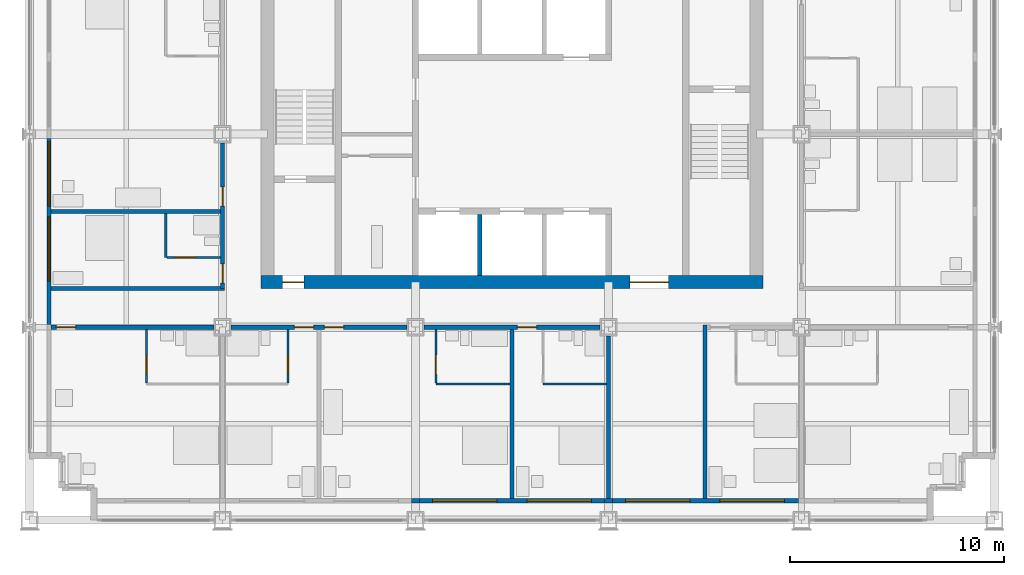
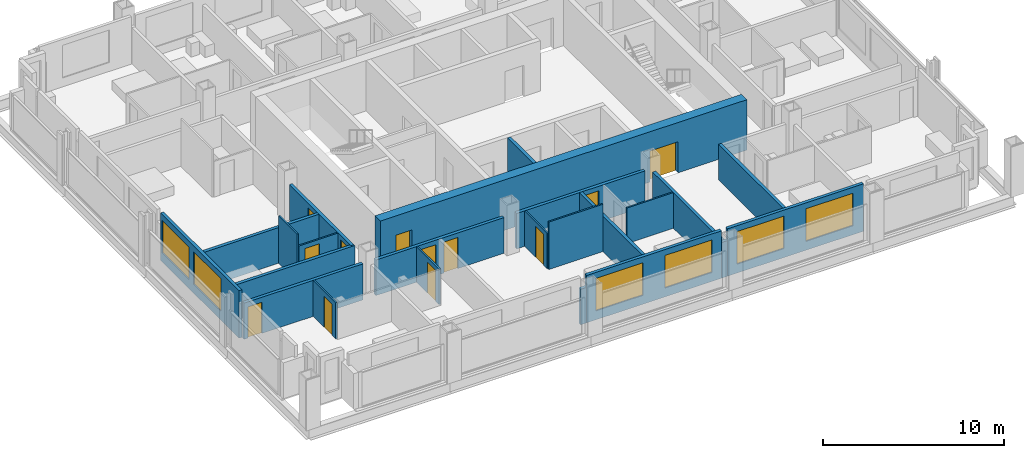
# One storey, part 9 of 16: 23 walls, 12 doors, 6 windows, 18 openings.
"""IFC4 building model written with IfcOpenShell, lengths in metres."""

from ifc_helpers import new_model, si_unit, direction, frame, frame_2d, origin, place, context, subcontext, project, spatial, rectangle, extrude, material, layer, layer_set, type_object, element, fill, save


model = new_model("IFC4")

# Units and contexts
model_context = context("Model", 3, precision=1e-05, world=origin(), true_north=direction((0.0, 1.0)))
body_context = subcontext(model_context, "Body", "Model", "MODEL_VIEW")
ifc_project = project(units=[si_unit("LENGTHUNIT", "METRE"), si_unit("AREAUNIT", "SQUARE_METRE"), si_unit("VOLUMEUNIT", "CUBIC_METRE"), si_unit("PLANEANGLEUNIT", "RADIAN"), si_unit("MASSUNIT", "GRAM", prefix="KILO")], contexts=[model_context])

# Site, building, storey
site_placement = place(None, origin())
site = spatial("IfcSite", under=ifc_project, at=site_placement, CompositionType="ELEMENT")
building_placement = place(site_placement, origin())
building = spatial("IfcBuilding", under=site, at=building_placement, Name="Loomwork Tower", CompositionType="ELEMENT")
storey_placement = place(building_placement, frame((0.0, 0.0, 104.39990234375)))
storey = spatial("IfcBuildingStorey", under=building, at=storey_placement, Name="L27", CompositionType="ELEMENT", Elevation=104.39990234375)

# Wall, openings, doors
ifc_material_1 = material(Name="Concrete 14000 psi (97 MPa)", Category="concrete")
ifc_layer_1 = layer(ifc_material_1, 0.60009765625)
ifc_layer_set_1 = layer_set([ifc_layer_1], Name="Core shear wall 600")
wall_type_1 = type_object("IfcWallType", Name="Core shear wall 600", PredefinedType="SHEAR", material=ifc_layer_set_1)
wall_1_placement = place(storey_placement, frame((10.800048828125, 11.10009765625, 0.0), z_axis=(0.0, 0.0, 1.0), x_axis=(1.0, 0.0, 0.0)))
wall_1 = element("IfcWall", 1, at=wall_1_placement, inside=storey, type_object=wall_type_1, Name="Core wall south L27", PredefinedType="SHEAR", context=body_context, shape_type="SweptSolid", body=[
    extrude(rectangle(XDim=23.39990234375, YDim=0.60009765625, at=frame_2d((11.699951171875, 0.0))), origin(), (0.0, 0.0, 1.0), 3.400146484375),
])
opening_1_placement = place(wall_1_placement, frame((1.0, 0.0, 0.0)))
opening_1 = element("IfcOpeningElement", 2, at=opening_1_placement, cuts=wall_1, Name="Opening D4", PredefinedType="OPENING", context=body_context, shape_type="SweptSolid", body=[
    extrude(rectangle(XDim=1.0, YDim=2.10009765625, at=frame_2d((0.5, 1.050048828125))), frame((0.0, 0.31005859375, 0.0), z_axis=(0.0, -1.0, 0.0), x_axis=(1.0, 0.0, 0.0)), (0.0, 0.0, 1.0), 0.6201171875),
])
opening_2_placement = place(wall_1_placement, frame((17.199951171875, 0.0, 0.0)))
opening_2 = element("IfcOpeningElement", 3, at=opening_2_placement, cuts=wall_1, Name="Opening D6", PredefinedType="OPENING", context=body_context, shape_type="SweptSolid", body=[
    extrude(rectangle(XDim=1.800048828125, YDim=2.10009765625, at=frame_2d((0.89990234375, 1.050048828125))), frame((0.0, 0.31005859375, 0.0), z_axis=(0.0, -1.0, 0.0), x_axis=(1.0, 0.0, 0.0)), (0.0, 0.0, 1.0), 0.6201171875),
])
ifc_material_2 = material(Name="Hollow metal door and frame")
door_type_1 = type_object("IfcDoorType", Name="Lobby passage double door 1800", OperationType="DOUBLE_DOOR_SINGLE_SWING", PredefinedType="DOOR", material=ifc_material_2)
door_1_placement = place(opening_2_placement, origin())
door_1 = element("IfcDoor", 4, at=door_1_placement, inside=storey, type_object=door_type_1, Name="Lobby passage door south", OperationType="DOUBLE_DOOR_SINGLE_SWING", OverallHeight=2.10009765625, OverallWidth=1.800048828125, PredefinedType="DOOR", context=body_context, shape_type="SweptSolid", body=[
    extrude(rectangle(XDim=1.800048828125, YDim=2.10009765625, at=frame_2d((0.89990234375, 1.050048828125))), frame((0.0, 0.02490234375, 0.0), z_axis=(0.0, -1.0, 0.0), x_axis=(1.0, 0.0, 0.0)), (0.0, 0.0, 1.0), 0.050048828125),
])
fill(opening_2, door_1)
ifc_material_3 = material(Name="Hollow metal door and frame")
door_type_2 = type_object("IfcDoorType", Name="Stair door 1000", OperationType="SINGLE_SWING_RIGHT", PredefinedType="DOOR", material=ifc_material_3)
door_2_placement = place(opening_1_placement, origin())
door_2 = element("IfcDoor", 5, at=door_2_placement, inside=storey, type_object=door_type_2, Name="Stair A vestibule door", OperationType="SINGLE_SWING_LEFT", OverallHeight=2.10009765625, OverallWidth=1.0, PredefinedType="DOOR", context=body_context, shape_type="SweptSolid", body=[
    extrude(rectangle(XDim=1.0, YDim=2.10009765625, at=frame_2d((0.5, 1.050048828125))), frame((0.0, 0.02490234375, 0.0), z_axis=(0.0, -1.0, 0.0), x_axis=(1.0, 0.0, 0.0)), (0.0, 0.0, 1.0), 0.050048828125),
])
fill(opening_1, door_2)

# Wall, opening, door
ifc_material_4 = material(Name="Gypsum board on steel studs, one-hour", Category="steel")
ifc_layer_2 = layer(ifc_material_4, 0.199951171875)
ifc_layer_set_2 = layer_set([ifc_layer_2], Name="Corridor wall 200")
wall_type_2 = type_object("IfcWallType", Name="Corridor wall 200", PredefinedType="PARTITIONING", material=ifc_layer_set_2)
wall_2_placement = place(storey_placement, frame((1.0, 9.0, 0.0), z_axis=(0.0, 0.0, 1.0), x_axis=(1.0, 0.0, 0.0)))
wall_2 = element("IfcWall", 6, at=wall_2_placement, inside=storey, type_object=wall_type_2, Name="South corridor wall 1", PredefinedType="PARTITIONING", context=body_context, shape_type="SweptSolid", body=[
    extrude(rectangle(XDim=7.60009765625, YDim=0.199951171875, at=frame_2d((3.800048828125, 0.0))), origin(), (0.0, 0.0, 1.0), 2.43798828125),
])
opening_3_placement = place(wall_2_placement, frame((0.25, 0.0, 0.0)))
opening_3 = element("IfcOpeningElement", 7, at=opening_3_placement, cuts=wall_2, Name="Opening D1", PredefinedType="OPENING", context=body_context, shape_type="SweptSolid", body=[
    extrude(rectangle(XDim=0.89990234375, YDim=2.10009765625, at=frame_2d((0.449951171875, 1.050048828125))), frame((0.0, 0.10986328125, 0.0), z_axis=(0.0, -1.0, 0.0), x_axis=(1.0, 0.0, 0.0)), (0.0, 0.0, 1.0), 0.219970703125),
])
ifc_material_5 = material(Name="Hollow metal door and frame")
door_type_3 = type_object("IfcDoorType", Name="Guest room entry door 900", OperationType="SINGLE_SWING_LEFT", PredefinedType="DOOR", material=ifc_material_5)
door_3_placement = place(opening_3_placement, frame((0.89990234375, 0.0, 0.0), z_axis=(0.0, 0.0, 1.0), x_axis=(-1.0, 0.0, 0.0)))
door_3 = element("IfcDoor", 8, at=door_3_placement, inside=storey, type_object=door_type_3, Name="Guest room entry door L27 1", OperationType="SINGLE_SWING_RIGHT", OverallHeight=2.10009765625, OverallWidth=0.89990234375, PredefinedType="DOOR", context=body_context, shape_type="SweptSolid", body=[
    extrude(rectangle(XDim=0.89990234375, YDim=2.10009765625, at=frame_2d((0.449951171875, 1.050048828125))), frame((0.0, 0.02490234375, 0.0), z_axis=(0.0, -1.0, 0.0), x_axis=(1.0, 0.0, 0.0)), (0.0, 0.0, 1.0), 0.050048828125),
])
fill(opening_3, door_3)

# Wall, openings, doors
wall_3_placement = place(storey_placement, frame((9.39990234375, 9.0, 0.0), z_axis=(0.0, 0.0, 1.0), x_axis=(1.0, 0.0, 0.0)))
wall_3 = element("IfcWall", 9, at=wall_3_placement, inside=storey, type_object=wall_type_2, Name="South corridor wall 2", PredefinedType="PARTITIONING", context=body_context, shape_type="SweptSolid", body=[
    extrude(rectangle(XDim=8.2001953125, YDim=0.199951171875, at=frame_2d((4.10009765625, 0.0))), origin(), (0.0, 0.0, 1.0), 2.405029296875),
])
opening_4_placement = place(wall_3_placement, frame((2.949951171875, 0.0, 0.0)))
opening_4 = element("IfcOpeningElement", 10, at=opening_4_placement, cuts=wall_3, Name="Opening D1", PredefinedType="OPENING", context=body_context, shape_type="SweptSolid", body=[
    extrude(rectangle(XDim=0.89990234375, YDim=2.10009765625, at=frame_2d((0.449951171875, 1.050048828125))), frame((0.0, 0.10986328125, 0.0), z_axis=(0.0, -1.0, 0.0), x_axis=(1.0, 0.0, 0.0)), (0.0, 0.0, 1.0), 0.219970703125),
])
opening_5_placement = place(wall_3_placement, frame((4.35009765625, 0.0, 0.0)))
opening_5 = element("IfcOpeningElement", 11, at=opening_5_placement, cuts=wall_3, Name="Opening D1", PredefinedType="OPENING", context=body_context, shape_type="SweptSolid", body=[
    extrude(rectangle(XDim=0.89990234375, YDim=2.10009765625, at=frame_2d((0.449951171875, 1.050048828125))), frame((0.0, 0.10986328125, 0.0), z_axis=(0.0, -1.0, 0.0), x_axis=(1.0, 0.0, 0.0)), (0.0, 0.0, 1.0), 0.219970703125),
])
door_4_placement = place(opening_4_placement, frame((0.89990234375, 0.0, 0.0), z_axis=(0.0, 0.0, 1.0), x_axis=(-1.0, 0.0, 0.0)))
door_4 = element("IfcDoor", 12, at=door_4_placement, inside=storey, type_object=door_type_3, Name="Guest room entry door L27 2", OperationType="SINGLE_SWING_LEFT", OverallHeight=2.10009765625, OverallWidth=0.89990234375, PredefinedType="DOOR", context=body_context, shape_type="SweptSolid", body=[
    extrude(rectangle(XDim=0.89990234375, YDim=2.10009765625, at=frame_2d((0.449951171875, 1.050048828125))), frame((0.0, 0.02490234375, 0.0), z_axis=(0.0, -1.0, 0.0), x_axis=(1.0, 0.0, 0.0)), (0.0, 0.0, 1.0), 0.050048828125),
])
fill(opening_4, door_4)
door_5_placement = place(opening_5_placement, frame((0.89990234375, 0.0, 0.0), z_axis=(0.0, 0.0, 1.0), x_axis=(-1.0, 0.0, 0.0)))
door_5 = element("IfcDoor", 13, at=door_5_placement, inside=storey, type_object=door_type_3, Name="Guest room entry door L27 3", OperationType="SINGLE_SWING_RIGHT", OverallHeight=2.10009765625, OverallWidth=0.89990234375, PredefinedType="DOOR", context=body_context, shape_type="SweptSolid", body=[
    extrude(rectangle(XDim=0.89990234375, YDim=2.10009765625, at=frame_2d((0.449951171875, 1.050048828125))), frame((0.0, 0.02490234375, 0.0), z_axis=(0.0, -1.0, 0.0), x_axis=(1.0, 0.0, 0.0)), (0.0, 0.0, 1.0), 0.050048828125),
])
fill(opening_5, door_5)

# Wall, opening, door
wall_4_placement = place(storey_placement, frame((18.39990234375, 9.0, 0.0), z_axis=(0.0, 0.0, 1.0), x_axis=(1.0, 0.0, 0.0)))
wall_4 = element("IfcWall", 14, at=wall_4_placement, inside=storey, type_object=wall_type_2, Name="South corridor wall 3", PredefinedType="PARTITIONING", context=body_context, shape_type="SweptSolid", body=[
    extrude(rectangle(XDim=8.2001953125, YDim=0.199951171875, at=frame_2d((4.10009765625, 0.0))), origin(), (0.0, 0.0, 1.0), 2.405029296875),
])
opening_6_placement = place(wall_4_placement, frame((4.35009765625, 0.0, 0.0)))
opening_6 = element("IfcOpeningElement", 15, at=opening_6_placement, cuts=wall_4, Name="Opening D1", PredefinedType="OPENING", context=body_context, shape_type="SweptSolid", body=[
    extrude(rectangle(XDim=0.89990234375, YDim=2.10009765625, at=frame_2d((0.449951171875, 1.050048828125))), frame((0.0, 0.10986328125, 0.0), z_axis=(0.0, -1.0, 0.0), x_axis=(1.0, 0.0, 0.0)), (0.0, 0.0, 1.0), 0.219970703125),
])
door_6_placement = place(opening_6_placement, frame((0.89990234375, 0.0, 0.0), z_axis=(0.0, 0.0, 1.0), x_axis=(-1.0, 0.0, 0.0)))
door_6 = element("IfcDoor", 16, at=door_6_placement, inside=storey, type_object=door_type_3, Name="Guest room entry door L27 4", OperationType="SINGLE_SWING_RIGHT", OverallHeight=2.10009765625, OverallWidth=0.89990234375, PredefinedType="DOOR", context=body_context, shape_type="SweptSolid", body=[
    extrude(rectangle(XDim=0.89990234375, YDim=2.10009765625, at=frame_2d((0.449951171875, 1.050048828125))), frame((0.0, 0.02490234375, 0.0), z_axis=(0.0, -1.0, 0.0), x_axis=(1.0, 0.0, 0.0)), (0.0, 0.0, 1.0), 0.050048828125),
])
fill(opening_6, door_6)

# Wall, openings, doors
wall_5_placement = place(storey_placement, frame((9.0, 10.800048828125, 0.0), z_axis=(0.0, 0.0, 1.0), x_axis=(0.0, 1.0, 0.0)))
wall_5 = element("IfcWall", 17, at=wall_5_placement, inside=storey, type_object=wall_type_2, Name="West corridor wall 1", PredefinedType="PARTITIONING", context=body_context, shape_type="SweptSolid", body=[
    extrude(rectangle(XDim=6.800048828125, YDim=0.199951171875, at=frame_2d((3.39990234375, 0.0))), origin(), (0.0, 0.0, 1.0), 2.405029296875),
])
opening_7_placement = place(wall_5_placement, frame((0.25, 0.0, 0.0)))
opening_7 = element("IfcOpeningElement", 18, at=opening_7_placement, cuts=wall_5, Name="Opening D1", PredefinedType="OPENING", context=body_context, shape_type="SweptSolid", body=[
    extrude(rectangle(XDim=0.89990234375, YDim=2.10009765625, at=frame_2d((0.449951171875, 1.050048828125))), frame((0.0, 0.10986328125, 0.0), z_axis=(0.0, -1.0, 0.0), x_axis=(1.0, 0.0, 0.0)), (0.0, 0.0, 1.0), 0.219970703125),
])
opening_8_placement = place(wall_5_placement, frame((3.85009765625, 0.0, 0.0)))
opening_8 = element("IfcOpeningElement", 19, at=opening_8_placement, cuts=wall_5, Name="Opening D1", PredefinedType="OPENING", context=body_context, shape_type="SweptSolid", body=[
    extrude(rectangle(XDim=0.89990234375, YDim=2.10009765625, at=frame_2d((0.449951171875, 1.050048828125))), frame((0.0, 0.10986328125, 0.0), z_axis=(0.0, -1.0, 0.0), x_axis=(1.0, 0.0, 0.0)), (0.0, 0.0, 1.0), 0.219970703125),
])
door_7_placement = place(opening_7_placement, origin())
door_7 = element("IfcDoor", 20, at=door_7_placement, inside=storey, type_object=door_type_3, Name="Guest room entry door L27 14", OperationType="SINGLE_SWING_LEFT", OverallHeight=2.10009765625, OverallWidth=0.89990234375, PredefinedType="DOOR", context=body_context, shape_type="SweptSolid", body=[
    extrude(rectangle(XDim=0.89990234375, YDim=2.10009765625, at=frame_2d((0.449951171875, 1.050048828125))), frame((0.0, 0.02490234375, 0.0), z_axis=(0.0, -1.0, 0.0), x_axis=(1.0, 0.0, 0.0)), (0.0, 0.0, 1.0), 0.050048828125),
])
fill(opening_7, door_7)
door_8_placement = place(opening_8_placement, origin())
door_8 = element("IfcDoor", 21, at=door_8_placement, inside=storey, type_object=door_type_3, Name="Guest room entry door L27 15", OperationType="SINGLE_SWING_LEFT", OverallHeight=2.10009765625, OverallWidth=0.89990234375, PredefinedType="DOOR", context=body_context, shape_type="SweptSolid", body=[
    extrude(rectangle(XDim=0.89990234375, YDim=2.10009765625, at=frame_2d((0.449951171875, 1.050048828125))), frame((0.0, 0.02490234375, 0.0), z_axis=(0.0, -1.0, 0.0), x_axis=(1.0, 0.0, 0.0)), (0.0, 0.0, 1.0), 0.050048828125),
])
fill(opening_8, door_8)

# Wall
wall_6_placement = place(storey_placement, frame((1.0, 10.800048828125, 0.0), z_axis=(0.0, 0.0, 1.0), x_axis=(1.0, 0.0, 0.0)))
element("IfcWall", 22, at=wall_6_placement, inside=storey, type_object=wall_type_2, Name="West band end wall S", PredefinedType="PARTITIONING", context=body_context, shape_type="SweptSolid", body=[
    extrude(rectangle(XDim=8.10009765625, YDim=0.199951171875, at=frame_2d((4.050048828125, 0.0))), origin(), (0.0, 0.0, 1.0), 2.404052734375),
])

# Wall, opening, door
ifc_material_6 = material(Name="Cement board on steel studs", Category="steel")
ifc_layer_3 = layer(ifc_material_6, 0.10009765625)
ifc_layer_set_3 = layer_set([ifc_layer_3], Name="En-suite partition 100")
wall_type_3 = type_object("IfcWallType", Name="En-suite partition 100", PredefinedType="PARTITIONING", material=ifc_layer_set_3)
wall_7_placement = place(storey_placement, frame((5.449951171875, 8.89990234375, 0.0), z_axis=(0.0, 0.0, 1.0), x_axis=(0.0, -1.0, 0.0)))
wall_7 = element("IfcWall", 23, at=wall_7_placement, inside=storey, type_object=wall_type_3, Name="En-suite side wall L27 room 1", PredefinedType="PARTITIONING", context=body_context, shape_type="SweptSolid", body=[
    extrude(rectangle(XDim=2.5, YDim=0.10009765625, at=frame_2d((1.25, 0.0))), origin(), (0.0, 0.0, 1.0), 2.43798828125),
])
opening_9_placement = place(wall_7_placement, frame((1.199951171875, 0.0, 0.0)))
opening_9 = element("IfcOpeningElement", 24, at=opening_9_placement, cuts=wall_7, Name="Opening D3", PredefinedType="OPENING", context=body_context, shape_type="SweptSolid", body=[
    extrude(rectangle(XDim=0.89990234375, YDim=2.10009765625, at=frame_2d((0.449951171875, 1.050048828125))), frame((0.0, 0.06005859375, 0.0), z_axis=(0.0, -1.0, 0.0), x_axis=(1.0, 0.0, 0.0)), (0.0, 0.0, 1.0), 0.1201171875),
])
ifc_material_7 = material(Name="Hollow metal door and frame")
door_type_4 = type_object("IfcDoorType", Name="Accessible en-suite door 900", OperationType="SLIDING_TO_LEFT", PredefinedType="DOOR", material=ifc_material_7)
door_9_placement = place(opening_9_placement, origin())
door_9 = element("IfcDoor", 25, at=door_9_placement, inside=storey, type_object=door_type_4, Name="Accessible en-suite door room 1", OperationType="SLIDING_TO_LEFT", OverallHeight=2.10009765625, OverallWidth=0.89990234375, PredefinedType="DOOR", context=body_context, shape_type="SweptSolid", body=[
    extrude(rectangle(XDim=0.89990234375, YDim=2.10009765625, at=frame_2d((0.449951171875, 1.050048828125))), frame((0.0, 0.02490234375, 0.0), z_axis=(0.0, -1.0, 0.0), x_axis=(1.0, 0.0, 0.0)), (0.0, 0.0, 1.0), 0.050048828125),
])
fill(opening_9, door_9)

wall_8_placement = place(storey_placement, frame((12.050048828125, 8.89990234375, 0.0), z_axis=(0.0, 0.0, 1.0), x_axis=(0.0, -1.0, 0.0)))
wall_8 = element("IfcWall", 26, at=wall_8_placement, inside=storey, type_object=wall_type_3, Name="En-suite side wall L27 room 2", PredefinedType="PARTITIONING", context=body_context, shape_type="SweptSolid", body=[
    extrude(rectangle(XDim=2.5, YDim=0.10009765625, at=frame_2d((1.25, 0.0))), origin(), (0.0, 0.0, 1.0), 2.404052734375),
])
opening_10_placement = place(wall_8_placement, frame((1.199951171875, 0.0, 0.0)))
opening_10 = element("IfcOpeningElement", 27, at=opening_10_placement, cuts=wall_8, Name="Opening D3", PredefinedType="OPENING", context=body_context, shape_type="SweptSolid", body=[
    extrude(rectangle(XDim=0.89990234375, YDim=2.10009765625, at=frame_2d((0.449951171875, 1.050048828125))), frame((0.0, 0.06005859375, 0.0), z_axis=(0.0, -1.0, 0.0), x_axis=(1.0, 0.0, 0.0)), (0.0, 0.0, 1.0), 0.1201171875),
])
door_10_placement = place(opening_10_placement, origin())
door_10 = element("IfcDoor", 28, at=door_10_placement, inside=storey, type_object=door_type_4, Name="Accessible en-suite door room 2", OperationType="SLIDING_TO_LEFT", OverallHeight=2.10009765625, OverallWidth=0.89990234375, PredefinedType="DOOR", context=body_context, shape_type="SweptSolid", body=[
    extrude(rectangle(XDim=0.89990234375, YDim=2.10009765625, at=frame_2d((0.449951171875, 1.050048828125))), frame((0.0, 0.02490234375, 0.0), z_axis=(0.0, -1.0, 0.0), x_axis=(1.0, 0.0, 0.0)), (0.0, 0.0, 1.0), 0.050048828125),
])
fill(opening_10, door_10)

# Wall
wall_9_placement = place(storey_placement, frame((18.949951171875, 6.35009765625, 0.0), z_axis=(0.0, 0.0, 1.0), x_axis=(1.0, 0.0, 0.0)))
element("IfcWall", 29, at=wall_9_placement, inside=storey, type_object=wall_type_3, Name="En-suite wall L27 room 3", PredefinedType="PARTITIONING", context=body_context, shape_type="SweptSolid", body=[
    extrude(rectangle(XDim=3.449951171875, YDim=0.10009765625, at=frame_2d((1.72509765625, 0.0))), origin(), (0.0, 0.0, 1.0), 3.2001953125),
])

# Wall, opening, door
wall_10_placement = place(storey_placement, frame((18.949951171875, 8.89990234375, 0.0), z_axis=(0.0, 0.0, 1.0), x_axis=(0.0, -1.0, 0.0)))
wall_10 = element("IfcWall", 30, at=wall_10_placement, inside=storey, type_object=wall_type_3, Name="En-suite side wall L27 room 3", PredefinedType="PARTITIONING", context=body_context, shape_type="SweptSolid", body=[
    extrude(rectangle(XDim=2.5, YDim=0.10009765625, at=frame_2d((1.25, 0.0))), origin(), (0.0, 0.0, 1.0), 2.404052734375),
])
opening_11_placement = place(wall_10_placement, frame((1.199951171875, 0.0, 0.0)))
opening_11 = element("IfcOpeningElement", 31, at=opening_11_placement, cuts=wall_10, Name="Opening D2", PredefinedType="OPENING", context=body_context, shape_type="SweptSolid", body=[
    extrude(rectangle(XDim=0.89990234375, YDim=2.10009765625, at=frame_2d((0.449951171875, 1.050048828125))), frame((0.0, 0.06005859375, 0.0), z_axis=(0.0, -1.0, 0.0), x_axis=(1.0, 0.0, 0.0)), (0.0, 0.0, 1.0), 0.1201171875),
])
ifc_material_8 = material(Name="Hollow metal door and frame")
door_type_5 = type_object("IfcDoorType", Name="En-suite door 900", OperationType="SINGLE_SWING_LEFT", PredefinedType="DOOR", material=ifc_material_8)
door_11_placement = place(opening_11_placement, origin())
door_11 = element("IfcDoor", 32, at=door_11_placement, inside=storey, type_object=door_type_5, Name="En-suite door room 3", OperationType="SINGLE_SWING_RIGHT", OverallHeight=2.10009765625, OverallWidth=0.89990234375, PredefinedType="DOOR", context=body_context, shape_type="SweptSolid", body=[
    extrude(rectangle(XDim=0.89990234375, YDim=2.10009765625, at=frame_2d((0.449951171875, 1.050048828125))), frame((0.0, 0.02490234375, 0.0), z_axis=(0.0, -1.0, 0.0), x_axis=(1.0, 0.0, 0.0)), (0.0, 0.0, 1.0), 0.050048828125),
])
fill(opening_11, door_11)

# Walls
wall_11_placement = place(storey_placement, frame((23.949951171875, 6.35009765625, 0.0), z_axis=(0.0, 0.0, 1.0), x_axis=(1.0, 0.0, 0.0)))
element("IfcWall", 33, at=wall_11_placement, inside=storey, type_object=wall_type_3, Name="En-suite wall L27 room 4", PredefinedType="PARTITIONING", context=body_context, shape_type="SweptSolid", body=[
    extrude(rectangle(XDim=2.949951171875, YDim=0.10009765625, at=frame_2d((1.47509765625, 0.0))), origin(), (0.0, 0.0, 1.0), 2.404052734375),
])
wall_12_placement = place(storey_placement, frame((6.35009765625, 12.25, 0.0), z_axis=(0.0, 0.0, 1.0), x_axis=(0.0, 1.0, 0.0)))
element("IfcWall", 34, at=wall_12_placement, inside=storey, type_object=wall_type_3, Name="En-suite wall L27 room 14", PredefinedType="PARTITIONING", context=body_context, shape_type="SweptSolid", body=[
    extrude(rectangle(XDim=2.050048828125, YDim=0.10009765625, at=frame_2d((1.02490234375, 0.0))), origin(), (0.0, 0.0, 1.0), 3.2001953125),
])

# Wall, opening, door
wall_13_placement = place(storey_placement, frame((8.89990234375, 12.25, 0.0), z_axis=(0.0, 0.0, 1.0), x_axis=(-1.0, 0.0, 0.0)))
wall_13 = element("IfcWall", 35, at=wall_13_placement, inside=storey, type_object=wall_type_3, Name="En-suite side wall L27 room 14", PredefinedType="PARTITIONING", context=body_context, shape_type="SweptSolid", body=[
    extrude(rectangle(XDim=2.5, YDim=0.10009765625, at=frame_2d((1.25, 0.0))), origin(), (0.0, 0.0, 1.0), 2.404052734375),
])
opening_12_placement = place(wall_13_placement, frame((1.199951171875, 0.0, 0.0)))
opening_12 = element("IfcOpeningElement", 36, at=opening_12_placement, cuts=wall_13, Name="Opening D2", PredefinedType="OPENING", context=body_context, shape_type="SweptSolid", body=[
    extrude(rectangle(XDim=0.89990234375, YDim=2.10009765625, at=frame_2d((0.449951171875, 1.050048828125))), frame((0.0, 0.06005859375, 0.0), z_axis=(0.0, -1.0, 0.0), x_axis=(1.0, 0.0, 0.0)), (0.0, 0.0, 1.0), 0.1201171875),
])
door_12_placement = place(opening_12_placement, frame((0.89990234375, 0.0, 0.0), z_axis=(0.0, 0.0, 1.0), x_axis=(-1.0, 0.0, 0.0)))
door_12 = element("IfcDoor", 37, at=door_12_placement, inside=storey, type_object=door_type_5, Name="En-suite door room 14", OperationType="SINGLE_SWING_LEFT", OverallHeight=2.10009765625, OverallWidth=0.89990234375, PredefinedType="DOOR", context=body_context, shape_type="SweptSolid", body=[
    extrude(rectangle(XDim=0.89990234375, YDim=2.10009765625, at=frame_2d((0.449951171875, 1.050048828125))), frame((0.0, 0.02490234375, 0.0), z_axis=(0.0, -1.0, 0.0), x_axis=(1.0, 0.0, 0.0)), (0.0, 0.0, 1.0), 0.050048828125),
])
fill(opening_12, door_12)

# Walls
ifc_material_9 = material(Name="Gypsum board on steel studs, acoustic", Category="steel")
ifc_layer_4 = layer(ifc_material_9, 0.199951171875)
ifc_layer_set_4 = layer_set([ifc_layer_4], Name="Guest room party wall 200")
wall_type_4 = type_object("IfcWallType", Name="Guest room party wall 200", PredefinedType="PARTITIONING", material=ifc_layer_set_4)
wall_14_placement = place(storey_placement, frame((22.5, 8.89990234375, 0.0), z_axis=(0.0, 0.0, 1.0), x_axis=(0.0, -1.0, 0.0)))
element("IfcWall", 38, at=wall_14_placement, inside=storey, type_object=wall_type_4, Name="Guest room party wall S 22.5", PredefinedType="PARTITIONING", context=body_context, shape_type="SweptSolid", body=[
    extrude(rectangle(XDim=7.89990234375, YDim=0.199951171875, at=frame_2d((3.949951171875, 0.0))), origin(), (0.0, 0.0, 1.0), 2.404052734375),
])
wall_15_placement = place(storey_placement, frame((27.0, 8.60009765625, 0.0), z_axis=(0.0, 0.0, 1.0), x_axis=(0.0, -1.0, 0.0)))
element("IfcWall", 39, at=wall_15_placement, inside=storey, type_object=wall_type_4, Name="Guest room party wall S 27", PredefinedType="PARTITIONING", context=body_context, shape_type="SweptSolid", body=[
    extrude(rectangle(XDim=7.60009765625, YDim=0.199951171875, at=frame_2d((3.800048828125, 0.0))), origin(), (0.0, 0.0, 1.0), 2.405029296875),
])
wall_16_placement = place(storey_placement, frame((31.5, 9.10009765625, 0.0), z_axis=(0.0, 0.0, 1.0), x_axis=(0.0, -1.0, 0.0)))
element("IfcWall", 40, at=wall_16_placement, inside=storey, type_object=wall_type_4, Name="Guest room party wall S 31.5", PredefinedType="PARTITIONING", context=body_context, shape_type="SweptSolid", body=[
    extrude(rectangle(XDim=8.10009765625, YDim=0.199951171875, at=frame_2d((4.050048828125, 0.0))), origin(), (0.0, 0.0, 1.0), 2.404052734375),
])
wall_17_placement = place(storey_placement, frame((8.89990234375, 14.39990234375, 0.0), z_axis=(0.0, 0.0, 1.0), x_axis=(-1.0, 0.0, 0.0)))
element("IfcWall", 41, at=wall_17_placement, inside=storey, type_object=wall_type_4, Name="Guest room party wall W 14.4", PredefinedType="PARTITIONING", context=body_context, shape_type="SweptSolid", body=[
    extrude(rectangle(XDim=7.89990234375, YDim=0.199951171875, at=frame_2d((3.949951171875, 0.0))), origin(), (0.0, 0.0, 1.0), 2.404052734375),
])
ifc_material_10 = material(Name="Insulated steel stud wall with gypsum lining", Category="steel")
ifc_layer_5 = layer(ifc_material_10, 0.199951171875)
ifc_layer_set_5 = layer_set([ifc_layer_5], Name="Inner skin wall 200")
wall_type_5 = type_object("IfcWallType", Name="Inner skin wall 200", PredefinedType="SOLIDWALL", material=ifc_layer_set_5)
wall_18_placement = place(storey_placement, frame((17.80615234375, 0.89990234375, 0.0), z_axis=(0.0, 0.0, 1.0), x_axis=(1.0, 0.0, 0.0)))
element("IfcWall", 42, at=wall_18_placement, inside=storey, type_object=wall_type_5, Name="Inner skin wall S bay 4", PredefinedType="SOLIDWALL", context=body_context, shape_type="SweptSolid", body=[
    extrude(rectangle(XDim=0.3876953125, YDim=0.199951171875, at=frame_2d((0.19384765625, 0.0))), origin(), (0.0, 0.0, 1.0), 2.404052734375),
])

# Wall, openings, windows
wall_19_placement = place(storey_placement, frame((18.19384765625, 0.89990234375, 0.0), z_axis=(0.0, 0.0, 1.0), x_axis=(1.0, 0.0, 0.0)))
wall_19 = element("IfcWall", 43, at=wall_19_placement, inside=storey, type_object=wall_type_5, Name="Inner skin wall S bay 5", PredefinedType="SOLIDWALL", context=body_context, shape_type="SweptSolid", body=[
    extrude(rectangle(XDim=8.6123046875, YDim=0.199951171875, at=frame_2d((4.30615234375, 0.0))), origin(), (0.0, 0.0, 1.0), 3.2001953125),
])
opening_13_placement = place(wall_19_placement, frame((0.606201171875, 0.0, 0.60009765625)))
opening_13 = element("IfcOpeningElement", 44, at=opening_13_placement, cuts=wall_19, Name="Opening CH1", PredefinedType="OPENING", context=body_context, shape_type="SweptSolid", body=[
    extrude(rectangle(XDim=3.0, YDim=2.199951171875, at=frame_2d((1.5, 1.10009765625))), frame((0.0, 0.10986328125, 0.0), z_axis=(0.0, -1.0, 0.0), x_axis=(1.0, 0.0, 0.0)), (0.0, 0.0, 1.0), 0.219970703125),
])
opening_14_placement = place(wall_19_placement, frame((5.006103515625, 0.0, 0.60009765625)))
opening_14 = element("IfcOpeningElement", 45, at=opening_14_placement, cuts=wall_19, Name="Opening CH1", PredefinedType="OPENING", context=body_context, shape_type="SweptSolid", body=[
    extrude(rectangle(XDim=3.0, YDim=2.199951171875, at=frame_2d((1.5, 1.10009765625))), frame((0.0, 0.10986328125, 0.0), z_axis=(0.0, -1.0, 0.0), x_axis=(1.0, 0.0, 0.0)), (0.0, 0.0, 1.0), 0.219970703125),
])
ifc_material_11 = material(Name="Aluminium frame with clear insulated glass", Category="aluminium")
window_type = type_object("IfcWindowType", Name="Chicago window 3000", PartitioningType="TRIPLE_PANEL_VERTICAL", PredefinedType="WINDOW", material=ifc_material_11)
window_1_placement = place(opening_13_placement, origin())
window_1 = element("IfcWindow", 46, at=window_1_placement, inside=storey, type_object=window_type, Name="Chicago window L27 bay 3", OverallHeight=2.199951171875, OverallWidth=3.0, PartitioningType="TRIPLE_PANEL_VERTICAL", PredefinedType="WINDOW", context=body_context, shape_type="SweptSolid", body=[
    extrude(rectangle(XDim=3.0, YDim=2.199951171875, at=frame_2d((1.5, 1.10009765625))), frame((0.0, 0.030029296875, 0.0), z_axis=(0.0, -1.0, 0.0), x_axis=(1.0, 0.0, 0.0)), (0.0, 0.0, 1.0), 0.06005859375),
])
fill(opening_13, window_1)
window_2_placement = place(opening_14_placement, origin())
window_2 = element("IfcWindow", 47, at=window_2_placement, inside=storey, type_object=window_type, Name="Chicago window L27 bay 3", OverallHeight=2.199951171875, OverallWidth=3.0, PartitioningType="TRIPLE_PANEL_VERTICAL", PredefinedType="WINDOW", context=body_context, shape_type="SweptSolid", body=[
    extrude(rectangle(XDim=3.0, YDim=2.199951171875, at=frame_2d((1.5, 1.10009765625))), frame((0.0, 0.030029296875, 0.0), z_axis=(0.0, -1.0, 0.0), x_axis=(1.0, 0.0, 0.0)), (0.0, 0.0, 1.0), 0.06005859375),
])
fill(opening_14, window_2)

# Wall
wall_20_placement = place(storey_placement, frame((26.80615234375, 0.89990234375, 0.0), z_axis=(0.0, 0.0, 1.0), x_axis=(1.0, 0.0, 0.0)))
element("IfcWall", 48, at=wall_20_placement, inside=storey, type_object=wall_type_5, Name="Inner skin wall S bay 6", PredefinedType="SOLIDWALL", context=body_context, shape_type="SweptSolid", body=[
    extrude(rectangle(XDim=0.3876953125, YDim=0.199951171875, at=frame_2d((0.19384765625, 0.0))), origin(), (0.0, 0.0, 1.0), 2.404052734375),
])

# Wall, openings, windows
wall_21_placement = place(storey_placement, frame((27.19384765625, 0.89990234375, 0.0), z_axis=(0.0, 0.0, 1.0), x_axis=(1.0, 0.0, 0.0)))
wall_21 = element("IfcWall", 49, at=wall_21_placement, inside=storey, type_object=wall_type_5, Name="Inner skin wall S bay 7", PredefinedType="SOLIDWALL", context=body_context, shape_type="SweptSolid", body=[
    extrude(rectangle(XDim=8.670654296875, YDim=0.199951171875, at=frame_2d((4.33544921875, 0.0))), origin(), (0.0, 0.0, 1.0), 3.2001953125),
])
opening_15_placement = place(wall_21_placement, frame((0.606201171875, 0.0, 0.60009765625)))
opening_15 = element("IfcOpeningElement", 50, at=opening_15_placement, cuts=wall_21, Name="Opening CH1", PredefinedType="OPENING", context=body_context, shape_type="SweptSolid", body=[
    extrude(rectangle(XDim=3.0, YDim=2.199951171875, at=frame_2d((1.5, 1.10009765625))), frame((0.0, 0.10986328125, 0.0), z_axis=(0.0, -1.0, 0.0), x_axis=(1.0, 0.0, 0.0)), (0.0, 0.0, 1.0), 0.219970703125),
])
opening_16_placement = place(wall_21_placement, frame((5.006103515625, 0.0, 0.60009765625)))
opening_16 = element("IfcOpeningElement", 51, at=opening_16_placement, cuts=wall_21, Name="Opening CH1", PredefinedType="OPENING", context=body_context, shape_type="SweptSolid", body=[
    extrude(rectangle(XDim=3.0, YDim=2.199951171875, at=frame_2d((1.5, 1.10009765625))), frame((0.0, 0.10986328125, 0.0), z_axis=(0.0, -1.0, 0.0), x_axis=(1.0, 0.0, 0.0)), (0.0, 0.0, 1.0), 0.219970703125),
])
window_3_placement = place(opening_15_placement, origin())
window_3 = element("IfcWindow", 52, at=window_3_placement, inside=storey, type_object=window_type, Name="Chicago window L27 bay 4", OverallHeight=2.199951171875, OverallWidth=3.0, PartitioningType="TRIPLE_PANEL_VERTICAL", PredefinedType="WINDOW", context=body_context, shape_type="SweptSolid", body=[
    extrude(rectangle(XDim=3.0, YDim=2.199951171875, at=frame_2d((1.5, 1.10009765625))), frame((0.0, 0.030029296875, 0.0), z_axis=(0.0, -1.0, 0.0), x_axis=(1.0, 0.0, 0.0)), (0.0, 0.0, 1.0), 0.06005859375),
])
fill(opening_15, window_3)
window_4_placement = place(opening_16_placement, origin())
window_4 = element("IfcWindow", 53, at=window_4_placement, inside=storey, type_object=window_type, Name="Chicago window L27 bay 4", OverallHeight=2.199951171875, OverallWidth=3.0, PartitioningType="TRIPLE_PANEL_VERTICAL", PredefinedType="WINDOW", context=body_context, shape_type="SweptSolid", body=[
    extrude(rectangle(XDim=3.0, YDim=2.199951171875, at=frame_2d((1.5, 1.10009765625))), frame((0.0, 0.030029296875, 0.0), z_axis=(0.0, -1.0, 0.0), x_axis=(1.0, 0.0, 0.0)), (0.0, 0.0, 1.0), 0.06005859375),
])
fill(opening_16, window_4)

wall_22_placement = place(storey_placement, frame((0.89990234375, 9.13525390625, 0.0), z_axis=(0.0, 0.0, 1.0), x_axis=(0.0, 1.0, 0.0)))
wall_22 = element("IfcWall", 54, at=wall_22_placement, inside=storey, type_object=wall_type_5, Name="Inner skin wall W bay 5", PredefinedType="SOLIDWALL", context=body_context, shape_type="SweptSolid", body=[
    extrude(rectangle(XDim=8.6708984375, YDim=0.199951171875, at=frame_2d((4.33544921875, 0.0))), origin(), (0.0, 0.0, 1.0), 3.2001953125),
])
opening_17_placement = place(wall_22_placement, frame((2.0146484375, 0.0, 0.60009765625)))
opening_17 = element("IfcOpeningElement", 55, at=opening_17_placement, cuts=wall_22, Name="Opening CH1", PredefinedType="OPENING", context=body_context, shape_type="SweptSolid", body=[
    extrude(rectangle(XDim=3.0, YDim=2.199951171875, at=frame_2d((1.5, 1.10009765625))), frame((0.0, 0.10986328125, 0.0), z_axis=(0.0, -1.0, 0.0), x_axis=(1.0, 0.0, 0.0)), (0.0, 0.0, 1.0), 0.219970703125),
])
opening_18_placement = place(wall_22_placement, frame((5.5146484375, 0.0, 0.60009765625)))
opening_18 = element("IfcOpeningElement", 56, at=opening_18_placement, cuts=wall_22, Name="Opening CH1", PredefinedType="OPENING", context=body_context, shape_type="SweptSolid", body=[
    extrude(rectangle(XDim=3.0, YDim=2.199951171875, at=frame_2d((1.5, 1.10009765625))), frame((0.0, 0.10986328125, 0.0), z_axis=(0.0, -1.0, 0.0), x_axis=(1.0, 0.0, 0.0)), (0.0, 0.0, 1.0), 0.219970703125),
])
window_5_placement = place(opening_17_placement, origin())
window_5 = element("IfcWindow", 57, at=window_5_placement, inside=storey, type_object=window_type, Name="Chicago window L27 bay 11", OverallHeight=2.199951171875, OverallWidth=3.0, PartitioningType="TRIPLE_PANEL_VERTICAL", PredefinedType="WINDOW", context=body_context, shape_type="SweptSolid", body=[
    extrude(rectangle(XDim=3.0, YDim=2.199951171875, at=frame_2d((1.5, 1.10009765625))), frame((0.0, 0.030029296875, 0.0), z_axis=(0.0, -1.0, 0.0), x_axis=(1.0, 0.0, 0.0)), (0.0, 0.0, 1.0), 0.06005859375),
])
fill(opening_17, window_5)
window_6_placement = place(opening_18_placement, origin())
window_6 = element("IfcWindow", 58, at=window_6_placement, inside=storey, type_object=window_type, Name="Chicago window L27 bay 11", OverallHeight=2.199951171875, OverallWidth=3.0, PartitioningType="TRIPLE_PANEL_VERTICAL", PredefinedType="WINDOW", context=body_context, shape_type="SweptSolid", body=[
    extrude(rectangle(XDim=3.0, YDim=2.199951171875, at=frame_2d((1.5, 1.10009765625))), frame((0.0, 0.030029296875, 0.0), z_axis=(0.0, -1.0, 0.0), x_axis=(1.0, 0.0, 0.0)), (0.0, 0.0, 1.0), 0.06005859375),
])
fill(opening_18, window_6)

# Wall
ifc_material_12 = material(Name="Concrete 14000 psi (97 MPa)", Category="concrete")
ifc_layer_6 = layer(ifc_material_12, 0.199951171875)
ifc_layer_set_6 = layer_set([ifc_layer_6], Name="Lift shaft wall 200")
wall_type_6 = type_object("IfcWallType", Name="Lift shaft wall 200", PredefinedType="SHEAR", material=ifc_layer_set_6)
wall_23_placement = place(storey_placement, frame((21.0, 11.39990234375, 0.0), z_axis=(0.0, 0.0, 1.0), x_axis=(0.0, 1.0, 0.0)))
element("IfcWall", 59, at=wall_23_placement, inside=storey, type_object=wall_type_6, Name="Lift shaft separation wall south 1 L27", PredefinedType="SHEAR", context=body_context, shape_type="SweptSolid", body=[
    extrude(rectangle(XDim=2.85009765625, YDim=0.199951171875, at=frame_2d((1.425048828125, 0.0))), origin(), (0.0, 0.0, 1.0), 3.400146484375),
])

save(model, "model.ifc")
